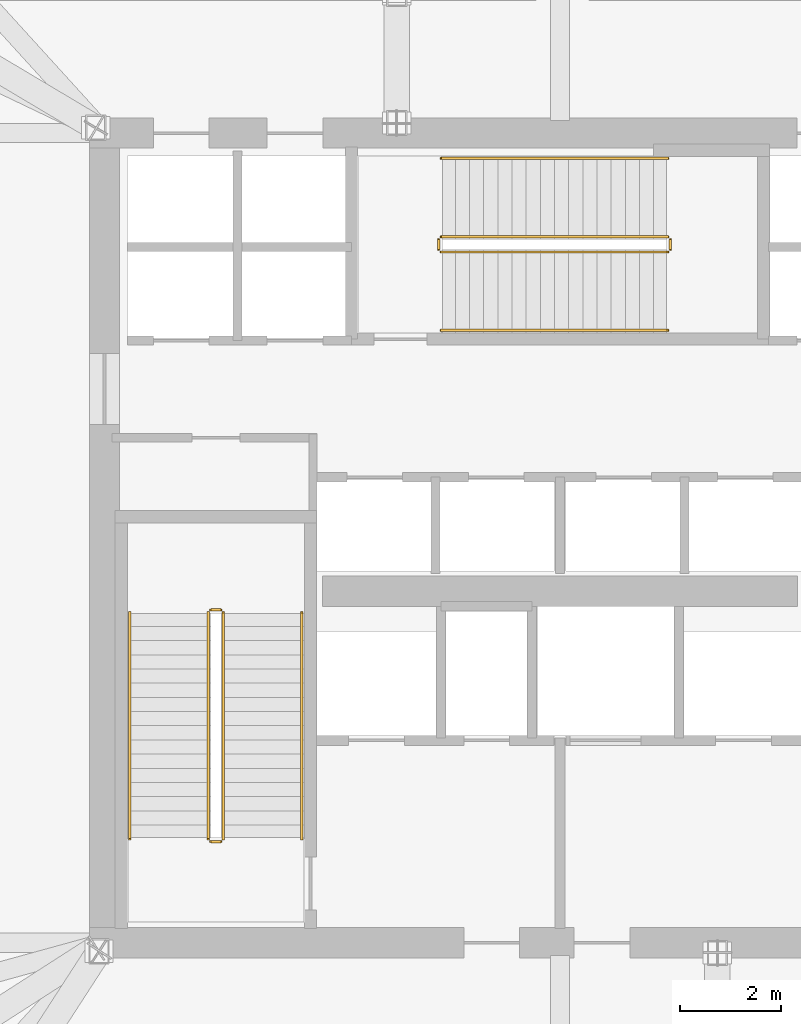
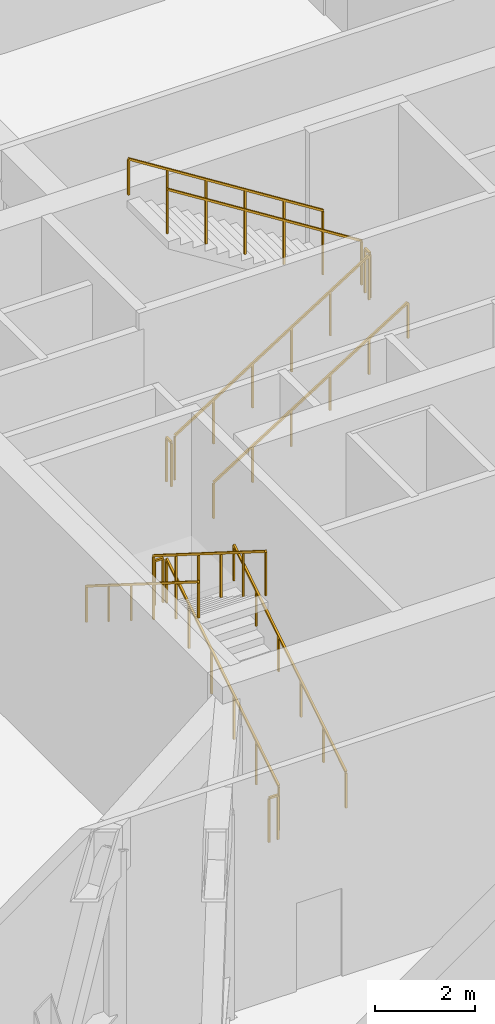
# One storey, part 14 of 15: 12 railings.
"""IFC4 building model written with IfcOpenShell, lengths in metres."""

from ifc_helpers import new_model, si_unit, direction, frame, origin, origin_2d, place, context, subcontext, project, spatial, rectangle, extrude, material, type_object, element, save


model = new_model("IFC4")

# Units and contexts
model_context = context("Model", 3, precision=1e-05, world=origin(), true_north=direction((0.0, 1.0)))
body_context = subcontext(model_context, "Body", "Model", "MODEL_VIEW")
ifc_project = project(units=[si_unit("LENGTHUNIT", "METRE"), si_unit("AREAUNIT", "SQUARE_METRE"), si_unit("VOLUMEUNIT", "CUBIC_METRE"), si_unit("PLANEANGLEUNIT", "RADIAN"), si_unit("MASSUNIT", "GRAM", prefix="KILO")], contexts=[model_context])

# Site, building, storey
site_placement = place(None, origin())
site = spatial("IfcSite", under=ifc_project, at=site_placement, CompositionType="ELEMENT")
building_placement = place(site_placement, origin())
building = spatial("IfcBuilding", under=site, at=building_placement, Name="Haldenkirk Collegiate Tower", CompositionType="ELEMENT")
storey_placement = place(building_placement, frame((0.0, 0.0, 22.199951171875)))
storey = spatial("IfcBuildingStorey", under=building, at=storey_placement, Name="L04", CompositionType="ELEMENT", Elevation=22.199951171875)

# Railings
ifc_material = material(Name="Painted architectural tubular steel", Category="steel")
railing_type_1 = type_object("IfcRailingType", Name="RLG-STAIR-GUARD-1100", PredefinedType="BALUSTRADE", material=ifc_material)
railing_1_placement = place(storey_placement, frame((29.35009765625, 20.050048828125, 0.176513671875)))
element("IfcRailing", 1, at=railing_1_placement, inside=storey, type_object=railing_type_1, Name="L04 ST-1 stair guard 1", PredefinedType="BALUSTRADE", context=body_context, shape_type="SweptSolid", body=[
    extrude(rectangle(XDim=0.048095703125, YDim=0.048095703125, at=origin_2d()), frame((0.0, 0.0, 1.076171875), z_axis=(0.0, 0.845997938375, 0.533186166611), x_axis=(-1.0, 0.0, 0.0)), (0.0, 0.0, 1.0), 5.29541015625),
    extrude(rectangle(XDim=0.0419921875, YDim=0.0419921875, at=origin_2d()), origin(), (0.0, 0.0, 1.0), 1.052001953125),
    extrude(rectangle(XDim=0.0419921875, YDim=0.0419921875, at=origin_2d()), frame((0.0, 0.89599609375, 0.564697265625)), (0.0, 0.0, 1.0), 1.052001953125),
    extrude(rectangle(XDim=0.0419921875, YDim=0.0419921875, at=origin_2d()), frame((0.0, 1.7919921875, 1.12939453125)), (0.0, 0.0, 1.0), 1.052001953125),
    extrude(rectangle(XDim=0.0419921875, YDim=0.0419921875, at=origin_2d()), frame((0.0, 2.68798828125, 1.694091796875)), (0.0, 0.0, 1.0), 1.052001953125),
    extrude(rectangle(XDim=0.0419921875, YDim=0.0419921875, at=origin_2d()), frame((0.0, 3.583984375, 2.2587890625)), (0.0, 0.0, 1.0), 1.052001953125),
    extrude(rectangle(XDim=0.0419921875, YDim=0.0419921875, at=origin_2d()), frame((0.0, 4.47998046875, 2.823486328125)), (0.0, 0.0, 1.0), 1.052001953125),
])
railing_2_placement = place(storey_placement, frame((29.300048828125, 24.580078125, 3.0)))
element("IfcRailing", 2, at=railing_2_placement, inside=storey, type_object=railing_type_1, Name="L04 ST-1 stair guard 2", PredefinedType="BALUSTRADE", context=body_context, shape_type="SweptSolid", body=[
    extrude(rectangle(XDim=0.048095703125, YDim=0.048095703125, at=origin_2d()), frame((0.0, 0.0, 1.076171875), z_axis=(-1.0, 0.0, 0.0), x_axis=(0.0, -1.0, 0.0)), (0.0, 0.0, 1.0), 0.199951171875),
    extrude(rectangle(XDim=0.0419921875, YDim=0.0419921875, at=origin_2d()), origin(), (0.0, 0.0, 1.0), 1.052001953125),
    extrude(rectangle(XDim=0.0419921875, YDim=0.0419921875, at=origin_2d()), frame((-0.199951171875, 0.0, 0.0)), (0.0, 0.0, 1.0), 1.052001953125),
])
railing_3_placement = place(storey_placement, frame((29.050048828125, 24.530029296875, 3.176513671875)))
element("IfcRailing", 3, at=railing_3_placement, inside=storey, type_object=railing_type_1, Name="L04 ST-1 stair guard 3", PredefinedType="BALUSTRADE", context=body_context, shape_type="SweptSolid", body=[
    extrude(rectangle(XDim=0.048095703125, YDim=0.048095703125, at=origin_2d()), frame((0.0, 0.0, 1.076171875), z_axis=(0.0, -0.845997938375, 0.533186166611), x_axis=(1.0, 0.0, 0.0)), (0.0, 0.0, 1.0), 5.29541015625),
    extrude(rectangle(XDim=0.0419921875, YDim=0.0419921875, at=origin_2d()), origin(), (0.0, 0.0, 1.0), 1.052001953125),
    extrude(rectangle(XDim=0.0419921875, YDim=0.0419921875, at=origin_2d()), frame((0.0, -0.89599609375, 0.564697265625)), (0.0, 0.0, 1.0), 1.052001953125),
    extrude(rectangle(XDim=0.0419921875, YDim=0.0419921875, at=origin_2d()), frame((0.0, -1.7919921875, 1.12939453125)), (0.0, 0.0, 1.0), 1.052001953125),
    extrude(rectangle(XDim=0.0419921875, YDim=0.0419921875, at=origin_2d()), frame((0.0, -2.68798828125, 1.694091796875)), (0.0, 0.0, 1.0), 1.052001953125),
    extrude(rectangle(XDim=0.0419921875, YDim=0.0419921875, at=origin_2d()), frame((0.0, -3.583984375, 2.2587890625)), (0.0, 0.0, 1.0), 1.052001953125),
    extrude(rectangle(XDim=0.0419921875, YDim=0.0419921875, at=origin_2d()), frame((0.0, -4.47998046875, 2.823486328125)), (0.0, 0.0, 1.0), 1.052001953125),
])
railing_4_placement = place(storey_placement, frame((29.300048828125, 20.0, 0.0)))
element("IfcRailing", 4, at=railing_4_placement, inside=storey, type_object=railing_type_1, Name="L04 ST-1 stair guard 4", PredefinedType="BALUSTRADE", context=body_context, shape_type="SweptSolid", body=[
    extrude(rectangle(XDim=0.048095703125, YDim=0.048095703125, at=origin_2d()), frame((0.0, 0.0, 1.076171875), z_axis=(-1.0, 0.0, 0.0), x_axis=(0.0, -1.0, 0.0)), (0.0, 0.0, 1.0), 0.199951171875),
    extrude(rectangle(XDim=0.0419921875, YDim=0.0419921875, at=origin_2d()), origin(), (0.0, 0.0, 1.0), 1.052001953125),
    extrude(rectangle(XDim=0.0419921875, YDim=0.0419921875, at=origin_2d()), frame((-0.199951171875, 0.0, 0.0)), (0.0, 0.0, 1.0), 1.052001953125),
])
railing_5_placement = place(storey_placement, frame((33.64990234375, 31.64990234375, 0.176513671875)))
element("IfcRailing", 5, at=railing_5_placement, inside=storey, type_object=railing_type_1, Name="L04 ST-3 stair guard 1", PredefinedType="BALUSTRADE", context=body_context, shape_type="SweptSolid", body=[
    extrude(rectangle(XDim=0.048095703125, YDim=0.048095703125, at=origin_2d()), frame((0.0, 0.0, 1.076171875), z_axis=(0.845997938375, 0.0, 0.533186166611), x_axis=(0.0, 1.0, 0.0)), (0.0, 0.0, 1.0), 5.29541015625),
    extrude(rectangle(XDim=0.0419921875, YDim=0.0419921875, at=origin_2d()), origin(), (0.0, 0.0, 1.0), 1.052001953125),
    extrude(rectangle(XDim=0.0419921875, YDim=0.0419921875, at=origin_2d()), frame((0.89599609375, 0.0, 0.564697265625)), (0.0, 0.0, 1.0), 1.052001953125),
    extrude(rectangle(XDim=0.0419921875, YDim=0.0419921875, at=origin_2d()), frame((1.7919921875, 0.0, 1.12939453125)), (0.0, 0.0, 1.0), 1.052001953125),
    extrude(rectangle(XDim=0.0419921875, YDim=0.0419921875, at=origin_2d()), frame((2.68798828125, 0.0, 1.694091796875)), (0.0, 0.0, 1.0), 1.052001953125),
    extrude(rectangle(XDim=0.0419921875, YDim=0.0419921875, at=origin_2d()), frame((3.583984375, 0.0, 2.2587890625)), (0.0, 0.0, 1.0), 1.052001953125),
    extrude(rectangle(XDim=0.0419921875, YDim=0.0419921875, at=origin_2d()), frame((4.47998046875, 0.0, 2.823486328125)), (0.0, 0.0, 1.0), 1.052001953125),
])
railing_6_placement = place(storey_placement, frame((38.179931640625, 31.699951171875, 3.0)))
element("IfcRailing", 6, at=railing_6_placement, inside=storey, type_object=railing_type_1, Name="L04 ST-3 stair guard 2", PredefinedType="BALUSTRADE", context=body_context, shape_type="SweptSolid", body=[
    extrude(rectangle(XDim=0.048095703125, YDim=0.048095703125, at=origin_2d()), frame((0.0, 0.0, 1.076171875), z_axis=(0.0, 1.0, 0.0), x_axis=(-1.0, 0.0, 0.0)), (0.0, 0.0, 1.0), 0.199951171875),
    extrude(rectangle(XDim=0.0419921875, YDim=0.0419921875, at=origin_2d()), origin(), (0.0, 0.0, 1.0), 1.052001953125),
    extrude(rectangle(XDim=0.0419921875, YDim=0.0419921875, at=origin_2d()), frame((0.0, 0.199951171875, 0.0)), (0.0, 0.0, 1.0), 1.052001953125),
])
railing_7_placement = place(storey_placement, frame((38.1298828125, 31.949951171875, 3.176513671875)))
element("IfcRailing", 7, at=railing_7_placement, inside=storey, type_object=railing_type_1, Name="L04 ST-3 stair guard 3", PredefinedType="BALUSTRADE", context=body_context, shape_type="SweptSolid", body=[
    extrude(rectangle(XDim=0.048095703125, YDim=0.048095703125, at=origin_2d()), frame((0.0, 0.0, 1.076171875), z_axis=(-0.845997938375, 0.0, 0.533186166611), x_axis=(0.0, -1.0, 0.0)), (0.0, 0.0, 1.0), 5.29541015625),
    extrude(rectangle(XDim=0.0419921875, YDim=0.0419921875, at=origin_2d()), origin(), (0.0, 0.0, 1.0), 1.052001953125),
    extrude(rectangle(XDim=0.0419921875, YDim=0.0419921875, at=origin_2d()), frame((-0.89599609375, 0.0, 0.564697265625)), (0.0, 0.0, 1.0), 1.052001953125),
    extrude(rectangle(XDim=0.0419921875, YDim=0.0419921875, at=origin_2d()), frame((-1.7919921875, 0.0, 1.12939453125)), (0.0, 0.0, 1.0), 1.052001953125),
    extrude(rectangle(XDim=0.0419921875, YDim=0.0419921875, at=origin_2d()), frame((-2.68798828125, 0.0, 1.694091796875)), (0.0, 0.0, 1.0), 1.052001953125),
    extrude(rectangle(XDim=0.0419921875, YDim=0.0419921875, at=origin_2d()), frame((-3.583984375, 0.0, 2.2587890625)), (0.0, 0.0, 1.0), 1.052001953125),
    extrude(rectangle(XDim=0.0419921875, YDim=0.0419921875, at=origin_2d()), frame((-4.47998046875, 0.0, 2.823486328125)), (0.0, 0.0, 1.0), 1.052001953125),
])
railing_8_placement = place(storey_placement, frame((33.60009765625, 31.699951171875, 0.0)))
element("IfcRailing", 8, at=railing_8_placement, inside=storey, type_object=railing_type_1, Name="L04 ST-3 stair guard 4", PredefinedType="BALUSTRADE", context=body_context, shape_type="SweptSolid", body=[
    extrude(rectangle(XDim=0.048095703125, YDim=0.048095703125, at=origin_2d()), frame((0.0, 0.0, 1.076171875), z_axis=(0.0, 1.0, 0.0), x_axis=(-1.0, 0.0, 0.0)), (0.0, 0.0, 1.0), 0.199951171875),
    extrude(rectangle(XDim=0.0419921875, YDim=0.0419921875, at=origin_2d()), origin(), (0.0, 0.0, 1.0), 1.052001953125),
    extrude(rectangle(XDim=0.0419921875, YDim=0.0419921875, at=origin_2d()), frame((0.0, 0.199951171875, 0.0)), (0.0, 0.0, 1.0), 1.052001953125),
])
railing_type_2 = type_object("IfcRailingType", Name="RLG-STAIR-HANDRAIL-900", PredefinedType="HANDRAIL", material=ifc_material)
railing_9_placement = place(storey_placement, frame((30.89990234375, 20.050048828125, 0.176513671875)))
element("IfcRailing", 9, at=railing_9_placement, inside=storey, type_object=railing_type_2, Name="L04 ST-1 stair handrail 1", PredefinedType="HANDRAIL", context=body_context, shape_type="SweptSolid", body=[
    extrude(rectangle(XDim=0.048095703125, YDim=0.048095703125, at=origin_2d()), frame((0.0, 0.0, 0.8759765625), z_axis=(0.0, 0.845997938375, 0.533186166611), x_axis=(-1.0, 0.0, 0.0)), (0.0, 0.0, 1.0), 5.29541015625),
    extrude(rectangle(XDim=0.0419921875, YDim=0.0419921875, at=origin_2d()), origin(), (0.0, 0.0, 1.0), 0.851806640625),
    extrude(rectangle(XDim=0.0419921875, YDim=0.0419921875, at=origin_2d()), frame((0.0, 0.89599609375, 0.564697265625)), (0.0, 0.0, 1.0), 0.851806640625),
    extrude(rectangle(XDim=0.0419921875, YDim=0.0419921875, at=origin_2d()), frame((0.0, 1.7919921875, 1.12939453125)), (0.0, 0.0, 1.0), 0.851806640625),
    extrude(rectangle(XDim=0.0419921875, YDim=0.0419921875, at=origin_2d()), frame((0.0, 2.68798828125, 1.694091796875)), (0.0, 0.0, 1.0), 0.851806640625),
    extrude(rectangle(XDim=0.0419921875, YDim=0.0419921875, at=origin_2d()), frame((0.0, 3.583984375, 2.2587890625)), (0.0, 0.0, 1.0), 0.851806640625),
    extrude(rectangle(XDim=0.0419921875, YDim=0.0419921875, at=origin_2d()), frame((0.0, 4.47998046875, 2.823486328125)), (0.0, 0.0, 1.0), 0.851806640625),
])
railing_10_placement = place(storey_placement, frame((27.5, 24.530029296875, 3.176513671875)))
element("IfcRailing", 10, at=railing_10_placement, inside=storey, type_object=railing_type_2, Name="L04 ST-1 stair handrail 2", PredefinedType="HANDRAIL", context=body_context, shape_type="SweptSolid", body=[
    extrude(rectangle(XDim=0.048095703125, YDim=0.048095703125, at=origin_2d()), frame((0.0, 0.0, 0.8759765625), z_axis=(0.0, -0.845997938375, 0.533186166611), x_axis=(1.0, 0.0, 0.0)), (0.0, 0.0, 1.0), 5.29541015625),
    extrude(rectangle(XDim=0.0419921875, YDim=0.0419921875, at=origin_2d()), origin(), (0.0, 0.0, 1.0), 0.851806640625),
    extrude(rectangle(XDim=0.0419921875, YDim=0.0419921875, at=origin_2d()), frame((0.0, -0.89599609375, 0.564697265625)), (0.0, 0.0, 1.0), 0.851806640625),
    extrude(rectangle(XDim=0.0419921875, YDim=0.0419921875, at=origin_2d()), frame((0.0, -1.7919921875, 1.12939453125)), (0.0, 0.0, 1.0), 0.851806640625),
    extrude(rectangle(XDim=0.0419921875, YDim=0.0419921875, at=origin_2d()), frame((0.0, -2.68798828125, 1.694091796875)), (0.0, 0.0, 1.0), 0.851806640625),
    extrude(rectangle(XDim=0.0419921875, YDim=0.0419921875, at=origin_2d()), frame((0.0, -3.583984375, 2.2587890625)), (0.0, 0.0, 1.0), 0.851806640625),
    extrude(rectangle(XDim=0.0419921875, YDim=0.0419921875, at=origin_2d()), frame((0.0, -4.47998046875, 2.823486328125)), (0.0, 0.0, 1.0), 0.851806640625),
])
railing_11_placement = place(storey_placement, frame((33.64990234375, 30.10009765625, 0.176513671875)))
element("IfcRailing", 11, at=railing_11_placement, inside=storey, type_object=railing_type_2, Name="L04 ST-3 stair handrail 1", PredefinedType="HANDRAIL", context=body_context, shape_type="SweptSolid", body=[
    extrude(rectangle(XDim=0.048095703125, YDim=0.048095703125, at=origin_2d()), frame((0.0, 0.0, 0.8759765625), z_axis=(0.845997938375, 0.0, 0.533186166611), x_axis=(0.0, 1.0, 0.0)), (0.0, 0.0, 1.0), 5.29541015625),
    extrude(rectangle(XDim=0.0419921875, YDim=0.0419921875, at=origin_2d()), origin(), (0.0, 0.0, 1.0), 0.851806640625),
    extrude(rectangle(XDim=0.0419921875, YDim=0.0419921875, at=origin_2d()), frame((0.89599609375, 0.0, 0.564697265625)), (0.0, 0.0, 1.0), 0.851806640625),
    extrude(rectangle(XDim=0.0419921875, YDim=0.0419921875, at=origin_2d()), frame((1.7919921875, 0.0, 1.12939453125)), (0.0, 0.0, 1.0), 0.851806640625),
    extrude(rectangle(XDim=0.0419921875, YDim=0.0419921875, at=origin_2d()), frame((2.68798828125, 0.0, 1.694091796875)), (0.0, 0.0, 1.0), 0.851806640625),
    extrude(rectangle(XDim=0.0419921875, YDim=0.0419921875, at=origin_2d()), frame((3.583984375, 0.0, 2.2587890625)), (0.0, 0.0, 1.0), 0.851806640625),
    extrude(rectangle(XDim=0.0419921875, YDim=0.0419921875, at=origin_2d()), frame((4.47998046875, 0.0, 2.823486328125)), (0.0, 0.0, 1.0), 0.851806640625),
])
railing_12_placement = place(storey_placement, frame((38.1298828125, 33.5, 3.176513671875)))
element("IfcRailing", 12, at=railing_12_placement, inside=storey, type_object=railing_type_2, Name="L04 ST-3 stair handrail 2", PredefinedType="HANDRAIL", context=body_context, shape_type="SweptSolid", body=[
    extrude(rectangle(XDim=0.048095703125, YDim=0.048095703125, at=origin_2d()), frame((0.0, 0.0, 0.8759765625), z_axis=(-0.845997938375, 0.0, 0.533186166611), x_axis=(0.0, -1.0, 0.0)), (0.0, 0.0, 1.0), 5.29541015625),
    extrude(rectangle(XDim=0.0419921875, YDim=0.0419921875, at=origin_2d()), origin(), (0.0, 0.0, 1.0), 0.851806640625),
    extrude(rectangle(XDim=0.0419921875, YDim=0.0419921875, at=origin_2d()), frame((-0.89599609375, 0.0, 0.564697265625)), (0.0, 0.0, 1.0), 0.851806640625),
    extrude(rectangle(XDim=0.0419921875, YDim=0.0419921875, at=origin_2d()), frame((-1.7919921875, 0.0, 1.12939453125)), (0.0, 0.0, 1.0), 0.851806640625),
    extrude(rectangle(XDim=0.0419921875, YDim=0.0419921875, at=origin_2d()), frame((-2.68798828125, 0.0, 1.694091796875)), (0.0, 0.0, 1.0), 0.851806640625),
    extrude(rectangle(XDim=0.0419921875, YDim=0.0419921875, at=origin_2d()), frame((-3.583984375, 0.0, 2.2587890625)), (0.0, 0.0, 1.0), 0.851806640625),
    extrude(rectangle(XDim=0.0419921875, YDim=0.0419921875, at=origin_2d()), frame((-4.47998046875, 0.0, 2.823486328125)), (0.0, 0.0, 1.0), 0.851806640625),
])

save(model, "model.ifc")
